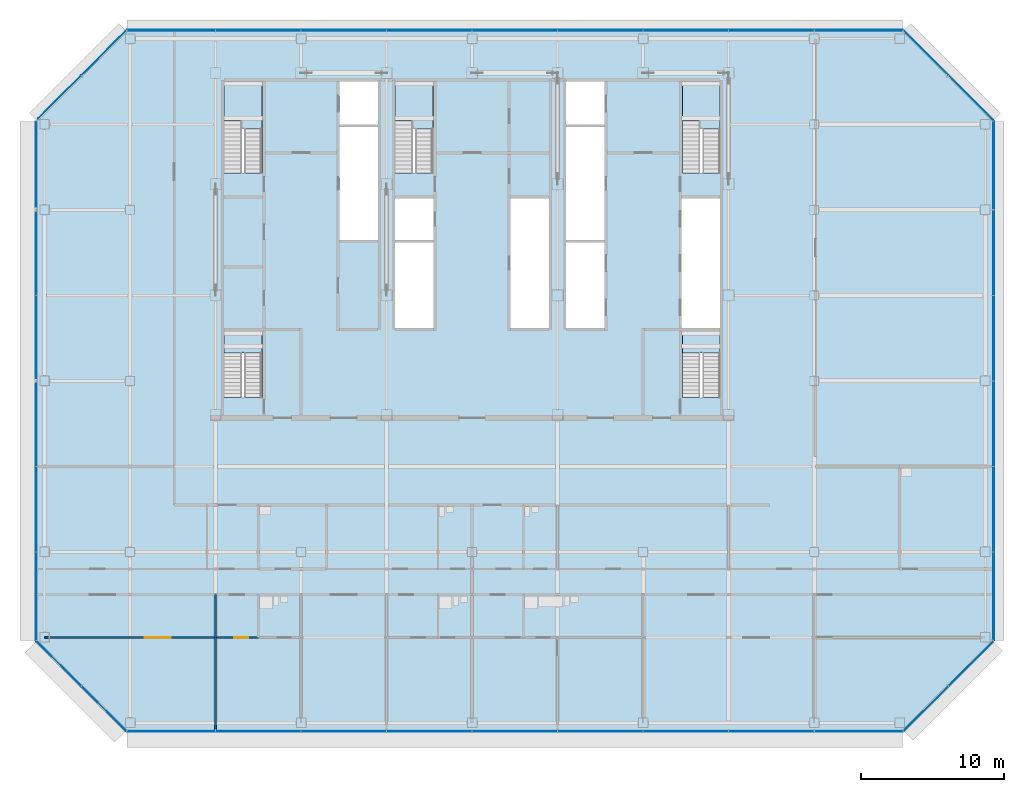
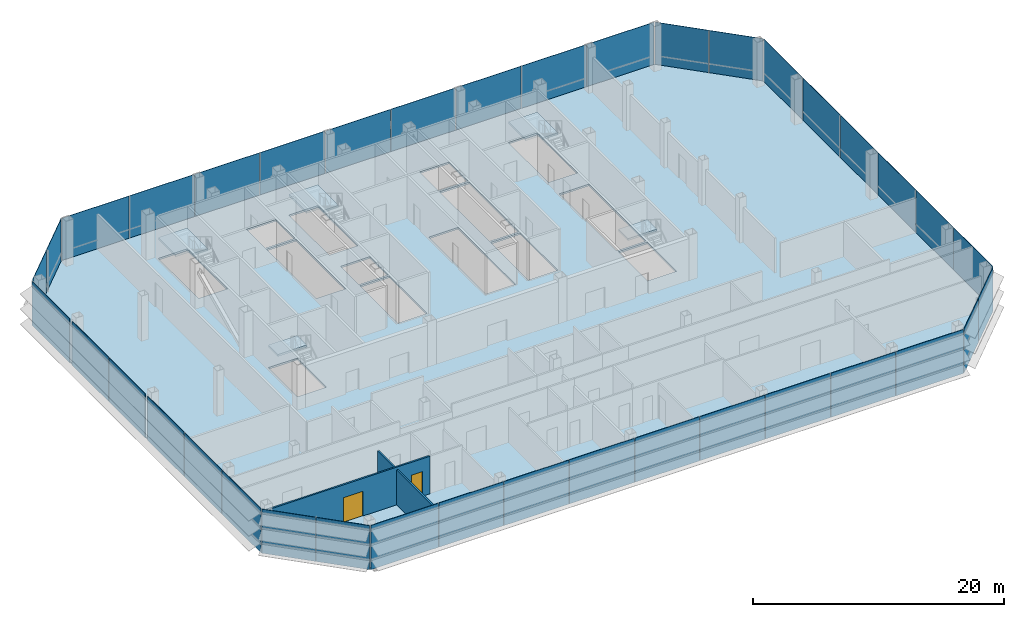
# One storey, part 18 of 26: 38 plates, 6 slabs, 2 doors, 2 walls, 2 openings, 13 elements without a shape of their own.
"""IFC4 building model written with IfcOpenShell, lengths in metres."""

import ifcopenshell
import ifcopenshell.guid

model = None  # the IFC model being written
_history = None  # IfcOwnerHistory: only IFC2X3 demands one
_inside = {}  # id of a spatial element -> (the spatial element, [elements in it])
_under = {}  # id of a project, library or spatial element -> (it, [spatial elements below it])
_declared = {}  # id of a project -> (the project, [libraries it declares])
_typed = {}  # id of a type object -> (the type object, [elements of that type])
_made_of = {}  # id of a material, layer set ... -> (it, [elements and type objects made of it])


def new_model(schema):
    """Start an empty IFC model of exactly this schema.

    Asked for "IFC4X3", IfcOpenShell would pick the latest addendum, in which some entities
    have other attributes; the version numbers below select the first issue.
    IFC2X3 requires an IfcOwnerHistory on every rooted entity: one is made here for all.
    """
    global model, _history
    if schema == "IFC4X3":
        model = ifcopenshell.file(schema_version=(4, 3, 0, 0))
    else:
        model = ifcopenshell.file(schema=schema)
    _inside.clear()
    _under.clear()
    _declared.clear()
    _typed.clear()
    _made_of.clear()
    _history = None
    if model.schema == "IFC2X3":
        org = make("IfcOrganization", Name="unknown")
        user = make(
            "IfcPersonAndOrganization",
            ThePerson=make("IfcPerson", FamilyName="unknown"),
            TheOrganization=org,
        )
        app = make(
            "IfcApplication",
            ApplicationDeveloper=org,
            Version="unknown",
            ApplicationFullName="unknown",
            ApplicationIdentifier="unknown",
        )
        _history = make(
            "IfcOwnerHistory",
            OwningUser=user,
            OwningApplication=app,
            ChangeAction="ADDED",
            CreationDate=0,
        )
    return model


def make(cls, **values):
    """One entity of the class cls with the attributes given. An attribute that is None is left unset."""
    return model.create_entity(
        cls, **{name: value for name, value in values.items() if value is not None}
    )


def rooted(cls, **values):
    """An entity with a GlobalId (a new one), such as an element, a storey or a relation."""
    return make(cls, GlobalId=ifcopenshell.guid.new(), OwnerHistory=_history, **values)


def si_unit(unit_type, name, prefix=None):
    """IfcSIUnit, for example si_unit("LENGTHUNIT", "METRE", prefix="MILLI")."""
    return make("IfcSIUnit", UnitType=unit_type, Prefix=prefix, Name=name)


def assignment(units):
    """IfcUnitAssignment: the units of a project."""
    return None if units is None else make("IfcUnitAssignment", Units=units)


def point(xyz):
    """IfcCartesianPoint."""
    return None if xyz is None else make("IfcCartesianPoint", Coordinates=xyz)


def direction(xyz):
    """IfcDirection."""
    return None if xyz is None else make("IfcDirection", DirectionRatios=xyz)


def frame(location, z_axis=None, x_axis=None):
    """IfcAxis2Placement3D, a coordinate frame: its origin and axes. An axis left out is left unset."""
    return make(
        "IfcAxis2Placement3D",
        Location=point(location),
        Axis=direction(z_axis),
        RefDirection=direction(x_axis),
    )


def frame_2d(location, x_axis=None):
    """IfcAxis2Placement2D, a coordinate frame in the plane: its origin and x axis."""
    return make(
        "IfcAxis2Placement2D", Location=point(location), RefDirection=direction(x_axis)
    )


def origin():
    """The frame at (0, 0, 0) with its axes left unset."""
    return frame((0.0, 0.0, 0.0))


def origin_2d():
    """The frame at (0, 0) in the plane with its x axis left unset."""
    return frame_2d((0.0, 0.0))


def place(relative_to, where):
    """IfcLocalPlacement: puts the frame where relative to a parent placement (None: the world)."""
    return make(
        "IfcLocalPlacement", PlacementRelTo=relative_to, RelativePlacement=where
    )


def context(
    kind, dimensions, precision=None, world=None, true_north=None, identifier=None
):
    """IfcGeometricRepresentationContext, for example the 3D "Model" context."""
    return make(
        "IfcGeometricRepresentationContext",
        ContextIdentifier=identifier,
        ContextType=kind,
        CoordinateSpaceDimension=dimensions,
        Precision=precision,
        WorldCoordinateSystem=world,
        TrueNorth=true_north,
    )


def subcontext(parent, identifier, kind, view, scale=None):
    """IfcGeometricRepresentationSubContext, for example "Body" below "Model"."""
    return make(
        "IfcGeometricRepresentationSubContext",
        ContextIdentifier=identifier,
        ContextType=kind,
        ParentContext=parent,
        TargetScale=scale,
        TargetView=view,
    )


def project(units=None, contexts=None):
    """IfcProject with its units and contexts."""
    return rooted(
        "IfcProject",
        Name="project",
        RepresentationContexts=contexts,
        UnitsInContext=assignment(units),
    )


def spatial(cls, under=None, at=None, **own):
    """A site, building, storey or space (cls), placed at a placement, below another one or the project."""
    s = rooted(cls, ObjectPlacement=at, **own)
    if under is not None:
        _under.setdefault(under.id(), (under, []))[1].append(s)
    return s


def polyline(points):
    """IfcPolyline through the points."""
    return make("IfcPolyline", Points=[point(p) for p in points])


def profile(cls, at=None, kind="AREA", **sizes):
    """A parametric profile (cls). Its sizes go by their IFC names, for example OverallWidth=200.0."""
    return make(cls, ProfileType=kind, Position=at, **sizes)


def rectangle(**sizes):
    """IfcRectangleProfileDef."""
    return profile("IfcRectangleProfileDef", **sizes)


def outline(outer, holes=None, kind="AREA"):
    """IfcArbitraryClosedProfileDef: a profile drawn as a closed curve; with holes, ...WithVoids."""
    if holes is None:
        return make("IfcArbitraryClosedProfileDef", ProfileType=kind, OuterCurve=outer)
    return make(
        "IfcArbitraryProfileDefWithVoids",
        ProfileType=kind,
        OuterCurve=outer,
        InnerCurves=holes,
    )


def extrude(swept, where, along, depth):
    """IfcExtrudedAreaSolid: the profile swept, set in the frame where, extruded along a direction by depth."""
    return make(
        "IfcExtrudedAreaSolid",
        SweptArea=swept,
        Position=where,
        ExtrudedDirection=direction(along),
        Depth=depth,
    )


def shape(context_of_items, identifier, shape_type, items):
    """IfcShapeRepresentation: the items that make up one representation, for example the "Body"."""
    return make(
        "IfcShapeRepresentation",
        ContextOfItems=context_of_items,
        RepresentationIdentifier=identifier,
        RepresentationType=shape_type,
        Items=items,
    )


def material(Name=None, Category=None):
    """IfcMaterial."""
    return make("IfcMaterial", Name=Name, Category=Category)


def layer(
    of_material, thickness, ventilated=None, Name=None, Category=None, Priority=None
):
    """IfcMaterialLayer: one layer of a wall or slab, of a material (None: an air gap)."""
    return make(
        "IfcMaterialLayer",
        Material=of_material,
        LayerThickness=thickness,
        IsVentilated=ventilated,
        Name=Name,
        Category=Category,
        Priority=Priority,
    )


def layer_set(layers, Name=None):
    """IfcMaterialLayerSet."""
    return make("IfcMaterialLayerSet", MaterialLayers=layers, LayerSetName=Name)


def made_of(thing, what):
    """Note that an element or type object is made of a material, layer set ...; save() writes the relation."""
    if what is not None:
        _made_of.setdefault(what.id(), (what, []))[1].append(thing)
    return thing


def type_object(cls, material=None, **own):
    """A type object (cls), such as IfcWallType, which elements share."""
    return made_of(rooted(cls, **own), material)


def element(
    cls,
    number,
    at=None,
    inside=None,
    cuts=None,
    type_object=None,
    material=None,
    context=None,
    identifier="Body",
    shape_type=None,
    held_by="IfcProductDefinitionShape",
    body=None,
    shapes=None,
    **own,
):
    """One element of the class cls, such as IfcWall. Its Tag is "e" and its number.

    at: its placement. inside: the storey or other place that contains it. cuts: it is an
    opening in that element (IfcRelVoidsElement). A single representation is given by context,
    identifier, shape_type and body (its items); several are given by shapes. held_by: the class
    of the entity that holds the representations. save() writes the other relations.
    """
    e = rooted(cls, Tag="e%d" % number, ObjectPlacement=at, **own)
    if body is not None:
        shapes = [shape(context, identifier, shape_type, body)]
    if shapes is not None:
        e.Representation = make(held_by, Representations=shapes)
    if inside is not None:
        _inside.setdefault(inside.id(), (inside, []))[1].append(e)
    if cuts is not None:
        rooted(
            "IfcRelVoidsElement", RelatingBuildingElement=cuts, RelatedOpeningElement=e
        )
    if type_object is not None:
        _typed.setdefault(type_object.id(), (type_object, []))[1].append(e)
    return made_of(e, material)


def fill(opening, filler):
    """IfcRelFillsElement: the door or window that sits in an opening."""
    return rooted(
        "IfcRelFillsElement",
        RelatingOpeningElement=opening,
        RelatedBuildingElement=filler,
    )


def aggregate(whole, parts):
    """IfcRelAggregates: a whole, such as a stair, and the parts it consists of."""
    return rooted("IfcRelAggregates", RelatingObject=whole, RelatedObjects=parts)


def save(model, path):
    """Write the relations noted so far, then the file.

    IfcRelAggregates (storeys below a building ...), IfcRelContainedInSpatialStructure (elements
    in a storey), IfcRelDefinesByType, IfcRelAssociatesMaterial and IfcRelDeclares: one each for
    every whole, place, type object, material and project.
    """
    for whole, parts in _under.values():
        aggregate(whole, parts)
    for where, things in _inside.values():
        rooted(
            "IfcRelContainedInSpatialStructure",
            RelatedElements=things,
            RelatingStructure=where,
        )
    for kind, things in _typed.values():
        rooted("IfcRelDefinesByType", RelatedObjects=things, RelatingType=kind)
    for what, things in _made_of.values():
        rooted("IfcRelAssociatesMaterial", RelatedObjects=things, RelatingMaterial=what)
    for by, libraries in _declared.values():
        rooted("IfcRelDeclares", RelatingContext=by, RelatedDefinitions=libraries)
    model.write(path)


model = new_model("IFC4")

# Units and contexts
model_context = context("Model", 3, precision=1e-05, world=origin(), true_north=direction((0.0, 1.0)))
body_context = subcontext(model_context, "Body", "Model", "MODEL_VIEW")
ifc_project = project(units=[si_unit("LENGTHUNIT", "METRE"), si_unit("AREAUNIT", "SQUARE_METRE"), si_unit("VOLUMEUNIT", "CUBIC_METRE"), si_unit("PLANEANGLEUNIT", "RADIAN"), si_unit("MASSUNIT", "GRAM", prefix="KILO")], contexts=[model_context])

# Site, building, storey
site_placement = place(None, origin())
site = spatial("IfcSite", under=ifc_project, at=site_placement, CompositionType="ELEMENT")
building_placement = place(site_placement, origin())
building = spatial("IfcBuilding", under=site, at=building_placement, Name="Sorahane Residences", CompositionType="ELEMENT")
storey_placement = place(building_placement, frame((0.0, 0.0, 181.60009765625)))
storey = spatial("IfcBuildingStorey", under=building, at=storey_placement, Name="L42", CompositionType="ELEMENT", Elevation=181.60009765625)

# Slab
ifc_material_1 = material(Name="Concrete C35", Category="concrete")
ifc_layer_1 = layer(ifc_material_1, 0.179931640625)
ifc_layer_set_1 = layer_set([ifc_layer_1], Name="Composite floor slab 180 mm Concrete C35")
slab_type_1 = type_object("IfcSlabType", Name="Composite floor slab 180 mm Concrete C35", PredefinedType="FLOOR", material=ifc_layer_set_1)
slab_1_placement = place(storey_placement, frame((0.0, 0.0, -0.18017578125)))
element("IfcSlab", 1, at=slab_1_placement, inside=storey, type_object=slab_type_1, Name="Slab L42", PredefinedType="FLOOR", context=body_context, shape_type="SweptSolid", body=[
    extrude(outline(polyline([(-0.24853515625, -0.60009765625), (-6.60009765625, 5.75146484375), (-6.60009765625, 42.24853515625), (-0.24853515625, 48.60009765625), (54.24853515625, 48.60009765625), (60.60009765625, 42.24853515625), (60.60009765625, 5.75146484375), (54.24853515625, -0.60009765625), (-0.24853515625, -0.60009765625)]), holes=[polyline([(18.60009765625, 27.699951171875), (21.300048828125, 27.699951171875), (21.300048828125, 33.699951171875), (18.60009765625, 33.699951171875), (18.60009765625, 27.699951171875)]), polyline([(38.699951171875, 27.699951171875), (41.39990234375, 27.699951171875), (41.39990234375, 36.800048828125), (38.699951171875, 36.800048828125), (38.699951171875, 27.699951171875)]), polyline([(30.60009765625, 27.699951171875), (33.300048828125, 27.699951171875), (33.300048828125, 33.699951171875), (30.60009765625, 33.699951171875), (30.60009765625, 27.699951171875)]), polyline([(30.60009765625, 42.0), (33.300048828125, 42.0), (33.300048828125, 45.0), (30.60009765625, 45.0), (30.60009765625, 42.0)]), polyline([(14.699951171875, 42.0), (17.39990234375, 42.0), (17.39990234375, 45.0), (14.699951171875, 45.0), (14.699951171875, 42.0)]), polyline([(9.25, 38.60009765625), (9.25, 45.0), (6.60009765625, 45.0), (6.60009765625, 38.60009765625), (9.25, 38.60009765625)]), polyline([(41.39990234375, 38.60009765625), (41.39990234375, 45.0), (38.75, 45.0), (38.75, 38.60009765625), (41.39990234375, 38.60009765625)]), polyline([(21.25, 38.60009765625), (21.25, 45.0), (18.60009765625, 45.0), (18.60009765625, 38.60009765625), (21.25, 38.60009765625)]), polyline([(9.25, 22.85009765625), (9.25, 27.5), (6.60009765625, 27.5), (6.60009765625, 22.85009765625), (9.25, 22.85009765625)]), polyline([(41.39990234375, 22.85009765625), (41.39990234375, 27.5), (38.75, 27.5), (38.75, 22.85009765625), (41.39990234375, 22.85009765625)]), polyline([(14.699951171875, 33.89990234375), (17.39990234375, 33.89990234375), (17.39990234375, 41.800048828125), (14.699951171875, 41.800048828125), (14.699951171875, 33.89990234375)]), polyline([(30.60009765625, 33.89990234375), (33.300048828125, 33.89990234375), (33.300048828125, 41.800048828125), (30.60009765625, 41.800048828125), (30.60009765625, 33.89990234375)]), polyline([(18.60009765625, 33.89990234375), (21.300048828125, 33.89990234375), (21.300048828125, 36.800048828125), (18.60009765625, 36.800048828125), (18.60009765625, 33.89990234375)]), polyline([(26.699951171875, 27.699951171875), (29.39990234375, 27.699951171875), (29.39990234375, 36.800048828125), (26.699951171875, 36.800048828125), (26.699951171875, 27.699951171875)])]), origin(), (0.0, 0.0, 1.0), 0.18017578125),
])

# Curtain wall, plates
ifc_material_2 = material(Name="Dark low-e glass and black anodised aluminium", Category="aluminium")
curtain_wall_type_1 = type_object("IfcCurtainWallType", Name="Curtain wall CW-1 Typical unitised wall", PredefinedType="NOTDEFINED", material=ifc_material_2)
curtain_wall_1_placement = place(storey_placement, origin())
curtain_wall_1 = element("IfcCurtainWall", 2, at=curtain_wall_1_placement, inside=storey, type_object=curtain_wall_type_1, Name="CW-1 curtain wall L42 S1", PredefinedType="NOTDEFINED")
ifc_material_3 = material(Name="Dark low-e glass with black ceramic frit", Category="glass")
ifc_layer_2 = layer(ifc_material_3, 0.0400390625)
ifc_layer_set_2 = layer_set([ifc_layer_2], Name="Curtain wall glass panel dark low-e with black frit spandrel band")
plate_type = type_object("IfcPlateType", Name="Curtain wall glass panel dark low-e with black frit spandrel band", PredefinedType="CURTAIN_PANEL", material=ifc_layer_set_2)
plate_1_placement = place(storey_placement, frame((2.88818359375, -0.60009765625, -0.18017578125), z_axis=(0.0, 0.0, 1.0), x_axis=(1.0, 0.0, 0.0)))
plate_1 = element("IfcPlate", 3, at=plate_1_placement, type_object=plate_type, Name="CW-1 glass panel L42 S1.1", PredefinedType="CURTAIN_PANEL", context=body_context, shape_type="SweptSolid", body=[
    extrude(rectangle(XDim=6.173583984375, YDim=0.0400390625, at=origin_2d()), origin(), (0.0, 0.0, 1.0), 4.280029296875),
])
plate_2_placement = place(storey_placement, frame((9.0, -0.60009765625, -0.18017578125), z_axis=(0.0, 0.0, 1.0), x_axis=(1.0, 0.0, 0.0)))
plate_2 = element("IfcPlate", 4, at=plate_2_placement, type_object=plate_type, Name="CW-1 glass panel L42 S1.2", PredefinedType="CURTAIN_PANEL", context=body_context, shape_type="SweptSolid", body=[
    extrude(rectangle(XDim=5.949951171875, YDim=0.0400390625, at=origin_2d()), origin(), (0.0, 0.0, 1.0), 4.280029296875),
])
plate_3_placement = place(storey_placement, frame((15.0, -0.60009765625, -0.18017578125), z_axis=(0.0, 0.0, 1.0), x_axis=(1.0, 0.0, 0.0)))
plate_3 = element("IfcPlate", 5, at=plate_3_placement, type_object=plate_type, Name="CW-1 glass panel L42 S1.3", PredefinedType="CURTAIN_PANEL", context=body_context, shape_type="SweptSolid", body=[
    extrude(rectangle(XDim=5.949951171875, YDim=0.0400390625, at=origin_2d()), origin(), (0.0, 0.0, 1.0), 4.280029296875),
])
plate_4_placement = place(storey_placement, frame((21.0, -0.60009765625, -0.18017578125), z_axis=(0.0, 0.0, 1.0), x_axis=(1.0, 0.0, 0.0)))
plate_4 = element("IfcPlate", 6, at=plate_4_placement, type_object=plate_type, Name="CW-1 glass panel L42 S1.4", PredefinedType="CURTAIN_PANEL", context=body_context, shape_type="SweptSolid", body=[
    extrude(rectangle(XDim=5.949951171875, YDim=0.0400390625, at=origin_2d()), origin(), (0.0, 0.0, 1.0), 4.280029296875),
])
plate_5_placement = place(storey_placement, frame((27.0, -0.60009765625, -0.18017578125), z_axis=(0.0, 0.0, 1.0), x_axis=(1.0, 0.0, 0.0)))
plate_5 = element("IfcPlate", 7, at=plate_5_placement, type_object=plate_type, Name="CW-1 glass panel L42 S1.5", PredefinedType="CURTAIN_PANEL", context=body_context, shape_type="SweptSolid", body=[
    extrude(rectangle(XDim=5.949951171875, YDim=0.0400390625, at=origin_2d()), origin(), (0.0, 0.0, 1.0), 4.280029296875),
])
plate_6_placement = place(storey_placement, frame((33.0, -0.60009765625, -0.18017578125), z_axis=(0.0, 0.0, 1.0), x_axis=(1.0, 0.0, 0.0)))
plate_6 = element("IfcPlate", 8, at=plate_6_placement, type_object=plate_type, Name="CW-1 glass panel L42 S1.6", PredefinedType="CURTAIN_PANEL", context=body_context, shape_type="SweptSolid", body=[
    extrude(rectangle(XDim=5.949951171875, YDim=0.0400390625, at=origin_2d()), origin(), (0.0, 0.0, 1.0), 4.280029296875),
])
plate_7_placement = place(storey_placement, frame((39.0, -0.60009765625, -0.18017578125), z_axis=(0.0, 0.0, 1.0), x_axis=(1.0, 0.0, 0.0)))
plate_7 = element("IfcPlate", 9, at=plate_7_placement, type_object=plate_type, Name="CW-1 glass panel L42 S1.7", PredefinedType="CURTAIN_PANEL", context=body_context, shape_type="SweptSolid", body=[
    extrude(rectangle(XDim=5.949951171875, YDim=0.0400390625, at=origin_2d()), origin(), (0.0, 0.0, 1.0), 4.280029296875),
])
plate_8_placement = place(storey_placement, frame((45.0, -0.60009765625, -0.18017578125), z_axis=(0.0, 0.0, 1.0), x_axis=(1.0, 0.0, 0.0)))
plate_8 = element("IfcPlate", 10, at=plate_8_placement, type_object=plate_type, Name="CW-1 glass panel L42 S1.8", PredefinedType="CURTAIN_PANEL", context=body_context, shape_type="SweptSolid", body=[
    extrude(rectangle(XDim=5.949951171875, YDim=0.0400390625, at=origin_2d()), origin(), (0.0, 0.0, 1.0), 4.280029296875),
])
plate_9_placement = place(storey_placement, frame((51.11181640625, -0.60009765625, -0.18017578125), z_axis=(0.0, 0.0, 1.0), x_axis=(1.0, 0.0, 0.0)))
plate_9 = element("IfcPlate", 11, at=plate_9_placement, type_object=plate_type, Name="CW-1 glass panel L42 S1.9", PredefinedType="CURTAIN_PANEL", context=body_context, shape_type="SweptSolid", body=[
    extrude(rectangle(XDim=6.173583984375, YDim=0.0400390625, at=origin_2d()), origin(), (0.0, 0.0, 1.0), 4.280029296875),
])
aggregate(curtain_wall_1, [plate_1, plate_2, plate_3, plate_4, plate_5, plate_6, plate_7, plate_8, plate_9])

ifc_material_4 = material(Name="Dark low-e glass and black anodised aluminium", Category="aluminium")
curtain_wall_type_2 = type_object("IfcCurtainWallType", Name="Curtain wall CW-2 Chamfer unitised wall", PredefinedType="NOTDEFINED", material=ifc_material_4)
curtain_wall_2_placement = place(storey_placement, origin())
curtain_wall_2 = element("IfcCurtainWall", 12, at=curtain_wall_2_placement, inside=storey, type_object=curtain_wall_type_2, Name="CW-2 curtain wall L42 SE1", PredefinedType="NOTDEFINED")
plate_10_placement = place(storey_placement, frame((55.84521484375, 0.996826171875, -0.18017578125), z_axis=(0.0, 0.0, 1.0), x_axis=(0.707106781187, 0.707106781187, 0.0)))
plate_10 = element("IfcPlate", 13, at=plate_10_placement, type_object=plate_type, Name="CW-2 glass panel L42 SE1.1", PredefinedType="CURTAIN_PANEL", context=body_context, shape_type="SweptSolid", body=[
    extrude(rectangle(XDim=4.416259765625, YDim=0.0400390625, at=origin_2d()), origin(), (0.0, 0.0, 1.0), 4.280029296875),
])
plate_11_placement = place(storey_placement, frame((59.003173828125, 4.15478515625, -0.18017578125), z_axis=(0.0, 0.0, 1.0), x_axis=(0.707106781187, 0.707106781187, 0.0)))
plate_11 = element("IfcPlate", 14, at=plate_11_placement, type_object=plate_type, Name="CW-2 glass panel L42 SE1.2", PredefinedType="CURTAIN_PANEL", context=body_context, shape_type="SweptSolid", body=[
    extrude(rectangle(XDim=4.416259765625, YDim=0.0400390625, at=origin_2d()), origin(), (0.0, 0.0, 1.0), 4.280029296875),
])
aggregate(curtain_wall_2, [plate_10, plate_11])

curtain_wall_3_placement = place(storey_placement, origin())
curtain_wall_3 = element("IfcCurtainWall", 15, at=curtain_wall_3_placement, inside=storey, type_object=curtain_wall_type_1, Name="CW-1 curtain wall L42 E1", PredefinedType="NOTDEFINED")
plate_12_placement = place(storey_placement, frame((60.60009765625, 8.88818359375, -0.18017578125), z_axis=(0.0, 0.0, 1.0), x_axis=(0.0, 1.0, 0.0)))
plate_12 = element("IfcPlate", 16, at=plate_12_placement, type_object=plate_type, Name="CW-1 glass panel L42 E1.1", PredefinedType="CURTAIN_PANEL", context=body_context, shape_type="SweptSolid", body=[
    extrude(rectangle(XDim=6.173583984375, YDim=0.0400390625, at=origin_2d()), origin(), (0.0, 0.0, 1.0), 4.280029296875),
])
plate_13_placement = place(storey_placement, frame((60.60009765625, 15.0, -0.18017578125), z_axis=(0.0, 0.0, 1.0), x_axis=(0.0, 1.0, 0.0)))
plate_13 = element("IfcPlate", 17, at=plate_13_placement, type_object=plate_type, Name="CW-1 glass panel L42 E1.2", PredefinedType="CURTAIN_PANEL", context=body_context, shape_type="SweptSolid", body=[
    extrude(rectangle(XDim=5.949951171875, YDim=0.0400390625, at=origin_2d()), origin(), (0.0, 0.0, 1.0), 4.280029296875),
])
plate_14_placement = place(storey_placement, frame((60.60009765625, 21.0, -0.18017578125), z_axis=(0.0, 0.0, 1.0), x_axis=(0.0, 1.0, 0.0)))
plate_14 = element("IfcPlate", 18, at=plate_14_placement, type_object=plate_type, Name="CW-1 glass panel L42 E1.3", PredefinedType="CURTAIN_PANEL", context=body_context, shape_type="SweptSolid", body=[
    extrude(rectangle(XDim=5.949951171875, YDim=0.0400390625, at=origin_2d()), origin(), (0.0, 0.0, 1.0), 4.280029296875),
])
plate_15_placement = place(storey_placement, frame((60.60009765625, 27.0, -0.18017578125), z_axis=(0.0, 0.0, 1.0), x_axis=(0.0, 1.0, 0.0)))
plate_15 = element("IfcPlate", 19, at=plate_15_placement, type_object=plate_type, Name="CW-1 glass panel L42 E1.4", PredefinedType="CURTAIN_PANEL", context=body_context, shape_type="SweptSolid", body=[
    extrude(rectangle(XDim=5.949951171875, YDim=0.0400390625, at=origin_2d()), origin(), (0.0, 0.0, 1.0), 4.280029296875),
])
plate_16_placement = place(storey_placement, frame((60.60009765625, 33.0, -0.18017578125), z_axis=(0.0, 0.0, 1.0), x_axis=(0.0, 1.0, 0.0)))
plate_16 = element("IfcPlate", 20, at=plate_16_placement, type_object=plate_type, Name="CW-1 glass panel L42 E1.5", PredefinedType="CURTAIN_PANEL", context=body_context, shape_type="SweptSolid", body=[
    extrude(rectangle(XDim=5.949951171875, YDim=0.0400390625, at=origin_2d()), origin(), (0.0, 0.0, 1.0), 4.280029296875),
])
plate_17_placement = place(storey_placement, frame((60.60009765625, 39.11181640625, -0.18017578125), z_axis=(0.0, 0.0, 1.0), x_axis=(0.0, 1.0, 0.0)))
plate_17 = element("IfcPlate", 21, at=plate_17_placement, type_object=plate_type, Name="CW-1 glass panel L42 E1.6", PredefinedType="CURTAIN_PANEL", context=body_context, shape_type="SweptSolid", body=[
    extrude(rectangle(XDim=6.173583984375, YDim=0.0400390625, at=origin_2d()), origin(), (0.0, 0.0, 1.0), 4.280029296875),
])
aggregate(curtain_wall_3, [plate_12, plate_13, plate_14, plate_15, plate_16, plate_17])

curtain_wall_4_placement = place(storey_placement, origin())
curtain_wall_4 = element("IfcCurtainWall", 22, at=curtain_wall_4_placement, inside=storey, type_object=curtain_wall_type_2, Name="CW-2 curtain wall L42 NE1", PredefinedType="NOTDEFINED")
plate_18_placement = place(storey_placement, frame((59.003173828125, 43.84521484375, -0.18017578125), z_axis=(0.0, 0.0, 1.0), x_axis=(-0.707106781187, 0.707106781187, 0.0)))
plate_18 = element("IfcPlate", 23, at=plate_18_placement, type_object=plate_type, Name="CW-2 glass panel L42 NE1.1", PredefinedType="CURTAIN_PANEL", context=body_context, shape_type="SweptSolid", body=[
    extrude(rectangle(XDim=4.416259765625, YDim=0.0400390625, at=origin_2d()), origin(), (0.0, 0.0, 1.0), 4.280029296875),
])
plate_19_placement = place(storey_placement, frame((55.84521484375, 47.003173828125, -0.18017578125), z_axis=(0.0, 0.0, 1.0), x_axis=(-0.707106781187, 0.707106781187, 0.0)))
plate_19 = element("IfcPlate", 24, at=plate_19_placement, type_object=plate_type, Name="CW-2 glass panel L42 NE1.2", PredefinedType="CURTAIN_PANEL", context=body_context, shape_type="SweptSolid", body=[
    extrude(rectangle(XDim=4.416259765625, YDim=0.0400390625, at=origin_2d()), origin(), (0.0, 0.0, 1.0), 4.280029296875),
])
aggregate(curtain_wall_4, [plate_18, plate_19])

curtain_wall_5_placement = place(storey_placement, origin())
curtain_wall_5 = element("IfcCurtainWall", 25, at=curtain_wall_5_placement, inside=storey, type_object=curtain_wall_type_1, Name="CW-1 curtain wall L42 N1", PredefinedType="NOTDEFINED")
plate_20_placement = place(storey_placement, frame((51.11181640625, 48.60009765625, -0.18017578125), z_axis=(0.0, 0.0, 1.0), x_axis=(-1.0, 0.0, 0.0)))
plate_20 = element("IfcPlate", 26, at=plate_20_placement, type_object=plate_type, Name="CW-1 glass panel L42 N1.1", PredefinedType="CURTAIN_PANEL", context=body_context, shape_type="SweptSolid", body=[
    extrude(rectangle(XDim=6.173583984375, YDim=0.0400390625, at=origin_2d()), origin(), (0.0, 0.0, 1.0), 4.280029296875),
])
plate_21_placement = place(storey_placement, frame((45.0, 48.60009765625, -0.18017578125), z_axis=(0.0, 0.0, 1.0), x_axis=(-1.0, 0.0, 0.0)))
plate_21 = element("IfcPlate", 27, at=plate_21_placement, type_object=plate_type, Name="CW-1 glass panel L42 N1.2", PredefinedType="CURTAIN_PANEL", context=body_context, shape_type="SweptSolid", body=[
    extrude(rectangle(XDim=5.949951171875, YDim=0.0400390625, at=origin_2d()), origin(), (0.0, 0.0, 1.0), 4.280029296875),
])
plate_22_placement = place(storey_placement, frame((39.0, 48.60009765625, -0.18017578125), z_axis=(0.0, 0.0, 1.0), x_axis=(-1.0, 0.0, 0.0)))
plate_22 = element("IfcPlate", 28, at=plate_22_placement, type_object=plate_type, Name="CW-1 glass panel L42 N1.3", PredefinedType="CURTAIN_PANEL", context=body_context, shape_type="SweptSolid", body=[
    extrude(rectangle(XDim=5.949951171875, YDim=0.0400390625, at=origin_2d()), origin(), (0.0, 0.0, 1.0), 4.280029296875),
])
plate_23_placement = place(storey_placement, frame((33.0, 48.60009765625, -0.18017578125), z_axis=(0.0, 0.0, 1.0), x_axis=(-1.0, 0.0, 0.0)))
plate_23 = element("IfcPlate", 29, at=plate_23_placement, type_object=plate_type, Name="CW-1 glass panel L42 N1.4", PredefinedType="CURTAIN_PANEL", context=body_context, shape_type="SweptSolid", body=[
    extrude(rectangle(XDim=5.949951171875, YDim=0.0400390625, at=origin_2d()), origin(), (0.0, 0.0, 1.0), 4.280029296875),
])
plate_24_placement = place(storey_placement, frame((27.0, 48.60009765625, -0.18017578125), z_axis=(0.0, 0.0, 1.0), x_axis=(-1.0, 0.0, 0.0)))
plate_24 = element("IfcPlate", 30, at=plate_24_placement, type_object=plate_type, Name="CW-1 glass panel L42 N1.5", PredefinedType="CURTAIN_PANEL", context=body_context, shape_type="SweptSolid", body=[
    extrude(rectangle(XDim=5.949951171875, YDim=0.0400390625, at=origin_2d()), origin(), (0.0, 0.0, 1.0), 4.280029296875),
])
plate_25_placement = place(storey_placement, frame((21.0, 48.60009765625, -0.18017578125), z_axis=(0.0, 0.0, 1.0), x_axis=(-1.0, 0.0, 0.0)))
plate_25 = element("IfcPlate", 31, at=plate_25_placement, type_object=plate_type, Name="CW-1 glass panel L42 N1.6", PredefinedType="CURTAIN_PANEL", context=body_context, shape_type="SweptSolid", body=[
    extrude(rectangle(XDim=5.949951171875, YDim=0.0400390625, at=origin_2d()), origin(), (0.0, 0.0, 1.0), 4.280029296875),
])
plate_26_placement = place(storey_placement, frame((15.0, 48.60009765625, -0.18017578125), z_axis=(0.0, 0.0, 1.0), x_axis=(-1.0, 0.0, 0.0)))
plate_26 = element("IfcPlate", 32, at=plate_26_placement, type_object=plate_type, Name="CW-1 glass panel L42 N1.7", PredefinedType="CURTAIN_PANEL", context=body_context, shape_type="SweptSolid", body=[
    extrude(rectangle(XDim=5.949951171875, YDim=0.0400390625, at=origin_2d()), origin(), (0.0, 0.0, 1.0), 4.280029296875),
])
plate_27_placement = place(storey_placement, frame((9.0, 48.60009765625, -0.18017578125), z_axis=(0.0, 0.0, 1.0), x_axis=(-1.0, 0.0, 0.0)))
plate_27 = element("IfcPlate", 33, at=plate_27_placement, type_object=plate_type, Name="CW-1 glass panel L42 N1.8", PredefinedType="CURTAIN_PANEL", context=body_context, shape_type="SweptSolid", body=[
    extrude(rectangle(XDim=5.949951171875, YDim=0.0400390625, at=origin_2d()), origin(), (0.0, 0.0, 1.0), 4.280029296875),
])
plate_28_placement = place(storey_placement, frame((2.88818359375, 48.60009765625, -0.18017578125), z_axis=(0.0, 0.0, 1.0), x_axis=(-1.0, 0.0, 0.0)))
plate_28 = element("IfcPlate", 34, at=plate_28_placement, type_object=plate_type, Name="CW-1 glass panel L42 N1.9", PredefinedType="CURTAIN_PANEL", context=body_context, shape_type="SweptSolid", body=[
    extrude(rectangle(XDim=6.173583984375, YDim=0.0400390625, at=origin_2d()), origin(), (0.0, 0.0, 1.0), 4.280029296875),
])
aggregate(curtain_wall_5, [plate_20, plate_21, plate_22, plate_23, plate_24, plate_25, plate_26, plate_27, plate_28])

curtain_wall_6_placement = place(storey_placement, origin())
curtain_wall_6 = element("IfcCurtainWall", 35, at=curtain_wall_6_placement, inside=storey, type_object=curtain_wall_type_2, Name="CW-2 curtain wall L42 NW1", PredefinedType="NOTDEFINED")
plate_29_placement = place(storey_placement, frame((-1.84521484375, 47.003173828125, -0.18017578125), z_axis=(0.0, 0.0, 1.0), x_axis=(-0.707106781187, -0.707106781187, 0.0)))
plate_29 = element("IfcPlate", 36, at=plate_29_placement, type_object=plate_type, Name="CW-2 glass panel L42 NW1.1", PredefinedType="CURTAIN_PANEL", context=body_context, shape_type="SweptSolid", body=[
    extrude(rectangle(XDim=4.416259765625, YDim=0.0400390625, at=origin_2d()), origin(), (0.0, 0.0, 1.0), 4.280029296875),
])
plate_30_placement = place(storey_placement, frame((-4.94140625, 43.9072265625, -0.18017578125), z_axis=(0.0, 0.0, 1.0), x_axis=(-0.707106781187, -0.707106781187, 0.0)))
plate_30 = element("IfcPlate", 37, at=plate_30_placement, type_object=plate_type, Name="CW-2 glass panel L42 NW1.2", PredefinedType="CURTAIN_PANEL", context=body_context, shape_type="SweptSolid", body=[
    extrude(rectangle(XDim=4.2412109375, YDim=0.0400390625, at=origin_2d()), origin(), (0.0, 0.0, 1.0), 4.280029296875),
])
aggregate(curtain_wall_6, [plate_29, plate_30])

curtain_wall_7_placement = place(storey_placement, origin())
curtain_wall_7 = element("IfcCurtainWall", 38, at=curtain_wall_7_placement, inside=storey, type_object=curtain_wall_type_1, Name="CW-1 curtain wall L42 W1", PredefinedType="NOTDEFINED")
plate_31_placement = place(storey_placement, frame((-6.60009765625, 39.19921875, -0.18017578125), z_axis=(0.0, 0.0, 1.0), x_axis=(0.0, -1.0, 0.0)))
plate_31 = element("IfcPlate", 39, at=plate_31_placement, type_object=plate_type, Name="CW-1 glass panel L42 W1.1", PredefinedType="CURTAIN_PANEL", context=body_context, shape_type="SweptSolid", body=[
    extrude(rectangle(XDim=5.99853515625, YDim=0.0400390625, at=origin_2d()), origin(), (0.0, 0.0, 1.0), 4.280029296875),
])
plate_32_placement = place(storey_placement, frame((-6.60009765625, 32.91259765625, -0.18017578125), z_axis=(0.0, 0.0, 1.0), x_axis=(0.0, -1.0, 0.0)))
plate_32 = element("IfcPlate", 40, at=plate_32_placement, type_object=plate_type, Name="CW-1 glass panel L42 W1.2", PredefinedType="CURTAIN_PANEL", context=body_context, shape_type="SweptSolid", body=[
    extrude(rectangle(XDim=5.77490234375, YDim=0.0400390625, at=origin_2d()), origin(), (0.0, 0.0, 1.0), 4.280029296875),
])
plate_33_placement = place(storey_placement, frame((-6.60009765625, 27.08740234375, -0.18017578125), z_axis=(0.0, 0.0, 1.0), x_axis=(0.0, -1.0, 0.0)))
plate_33 = element("IfcPlate", 41, at=plate_33_placement, type_object=plate_type, Name="CW-1 glass panel L42 W1.3", PredefinedType="CURTAIN_PANEL", context=body_context, shape_type="SweptSolid", body=[
    extrude(rectangle(XDim=5.77490234375, YDim=0.0400390625, at=origin_2d()), origin(), (0.0, 0.0, 1.0), 4.280029296875),
])
plate_34_placement = place(storey_placement, frame((-6.60009765625, 20.91259765625, -0.18017578125), z_axis=(0.0, 0.0, 1.0), x_axis=(0.0, -1.0, 0.0)))
plate_34 = element("IfcPlate", 42, at=plate_34_placement, type_object=plate_type, Name="CW-1 glass panel L42 W1.4", PredefinedType="CURTAIN_PANEL", context=body_context, shape_type="SweptSolid", body=[
    extrude(rectangle(XDim=5.77490234375, YDim=0.0400390625, at=origin_2d()), origin(), (0.0, 0.0, 1.0), 4.280029296875),
])
plate_35_placement = place(storey_placement, frame((-6.60009765625, 15.0, -0.18017578125), z_axis=(0.0, 0.0, 1.0), x_axis=(0.0, -1.0, 0.0)))
plate_35 = element("IfcPlate", 43, at=plate_35_placement, type_object=plate_type, Name="CW-1 glass panel L42 W1.5", PredefinedType="CURTAIN_PANEL", context=body_context, shape_type="SweptSolid", body=[
    extrude(rectangle(XDim=5.949951171875, YDim=0.0400390625, at=origin_2d()), origin(), (0.0, 0.0, 1.0), 4.280029296875),
])
plate_36_placement = place(storey_placement, frame((-6.60009765625, 8.88818359375, -0.18017578125), z_axis=(0.0, 0.0, 1.0), x_axis=(0.0, -1.0, 0.0)))
plate_36 = element("IfcPlate", 44, at=plate_36_placement, type_object=plate_type, Name="CW-1 glass panel L42 W1.6", PredefinedType="CURTAIN_PANEL", context=body_context, shape_type="SweptSolid", body=[
    extrude(rectangle(XDim=6.173583984375, YDim=0.0400390625, at=origin_2d()), origin(), (0.0, 0.0, 1.0), 4.280029296875),
])
aggregate(curtain_wall_7, [plate_31, plate_32, plate_33, plate_34, plate_35, plate_36])

curtain_wall_8_placement = place(storey_placement, origin())
curtain_wall_8 = element("IfcCurtainWall", 45, at=curtain_wall_8_placement, inside=storey, type_object=curtain_wall_type_2, Name="CW-2 curtain wall L42 SW1", PredefinedType="NOTDEFINED")
plate_37_placement = place(storey_placement, frame((-5.003173828125, 4.15478515625, -0.18017578125), z_axis=(0.0, 0.0, 1.0), x_axis=(0.707106781187, -0.707106781187, 0.0)))
plate_37 = element("IfcPlate", 46, at=plate_37_placement, type_object=plate_type, Name="CW-2 glass panel L42 SW1.1", PredefinedType="CURTAIN_PANEL", context=body_context, shape_type="SweptSolid", body=[
    extrude(rectangle(XDim=4.416259765625, YDim=0.0400390625, at=origin_2d()), origin(), (0.0, 0.0, 1.0), 4.280029296875),
])
plate_38_placement = place(storey_placement, frame((-1.84521484375, 0.996826171875, -0.18017578125), z_axis=(0.0, 0.0, 1.0), x_axis=(0.707106781187, -0.707106781187, 0.0)))
plate_38 = element("IfcPlate", 47, at=plate_38_placement, type_object=plate_type, Name="CW-2 glass panel L42 SW1.2", PredefinedType="CURTAIN_PANEL", context=body_context, shape_type="SweptSolid", body=[
    extrude(rectangle(XDim=4.416259765625, YDim=0.0400390625, at=origin_2d()), origin(), (0.0, 0.0, 1.0), 4.280029296875),
])
aggregate(curtain_wall_8, [plate_37, plate_38])

# Stair, slab
ifc_material_5 = material(Name="Concrete C40", Category="concrete")
stair_type = type_object("IfcStairType", Name="Dog-leg stair 1250 Concrete C40", PredefinedType="HALF_TURN_STAIR", material=ifc_material_5)
stair_1_placement = place(storey_placement, origin())
stair_1 = element("IfcStair", 48, at=stair_1_placement, inside=storey, type_object=stair_type, Name="L42 Stair S1", PredefinedType="HALF_TURN_STAIR")
ifc_material_6 = material(Name="Concrete C40", Category="concrete")
ifc_layer_3 = layer(ifc_material_6, 0.199951171875)
ifc_layer_set_3 = layer_set([ifc_layer_3], Name="Stair landing 200 Concrete C40")
slab_type_2 = type_object("IfcSlabType", Name="Stair landing 200 Concrete C40", PredefinedType="LANDING", material=ifc_layer_set_3)
slab_2_placement = place(storey_placement, frame((0.0, 0.0, 1.83056640625)))
slab_2 = element("IfcSlab", 49, at=slab_2_placement, type_object=slab_type_2, Name="S1 landing 1", PredefinedType="LANDING", context=body_context, shape_type="SweptSolid", body=[
    extrude(outline(polyline([(9.25, 41.679931640625), (9.25, 45.0), (6.60009765625, 45.0), (6.60009765625, 42.239990234375), (7.85009765625, 42.239990234375), (7.85009765625, 41.679931640625), (9.25, 41.679931640625)])), origin(), (0.0, 0.0, 1.0), 0.2001953125),
])
aggregate(stair_1, [slab_2])

stair_2_placement = place(storey_placement, origin())
stair_2 = element("IfcStair", 50, at=stair_2_placement, inside=storey, type_object=stair_type, Name="L42 Stair S2", PredefinedType="HALF_TURN_STAIR")
slab_3_placement = place(storey_placement, frame((0.0, 0.0, 1.83056640625)))
slab_3 = element("IfcSlab", 51, at=slab_3_placement, type_object=slab_type_2, Name="S2 landing 1", PredefinedType="LANDING", context=body_context, shape_type="SweptSolid", body=[
    extrude(outline(polyline([(41.39990234375, 41.679931640625), (41.39990234375, 45.0), (38.75, 45.0), (38.75, 42.239990234375), (40.0, 42.239990234375), (40.0, 41.679931640625), (41.39990234375, 41.679931640625)])), origin(), (0.0, 0.0, 1.0), 0.2001953125),
])
aggregate(stair_2, [slab_3])

stair_3_placement = place(storey_placement, origin())
stair_3 = element("IfcStair", 52, at=stair_3_placement, inside=storey, type_object=stair_type, Name="L42 Stair S3", PredefinedType="HALF_TURN_STAIR")
slab_4_placement = place(storey_placement, frame((0.0, 0.0, 1.83056640625)))
slab_4 = element("IfcSlab", 53, at=slab_4_placement, type_object=slab_type_2, Name="S3 landing 1", PredefinedType="LANDING", context=body_context, shape_type="SweptSolid", body=[
    extrude(outline(polyline([(21.25, 41.679931640625), (21.25, 45.0), (18.60009765625, 45.0), (18.60009765625, 42.239990234375), (19.85009765625, 42.239990234375), (19.85009765625, 41.679931640625), (21.25, 41.679931640625)])), origin(), (0.0, 0.0, 1.0), 0.2001953125),
])
aggregate(stair_3, [slab_4])

stair_4_placement = place(storey_placement, origin())
stair_4 = element("IfcStair", 54, at=stair_4_placement, inside=storey, type_object=stair_type, Name="L42 Stair S4", PredefinedType="HALF_TURN_STAIR")
slab_5_placement = place(storey_placement, frame((0.0, 0.0, 2.0)))
slab_5 = element("IfcSlab", 55, at=slab_5_placement, type_object=slab_type_2, Name="S4 landing 1", PredefinedType="LANDING", context=body_context, shape_type="SweptSolid", body=[
    extrude(outline(polyline([(9.25, 25.969970703125), (9.25, 27.5), (6.60009765625, 27.5), (6.60009765625, 25.969970703125), (9.25, 25.969970703125)])), origin(), (0.0, 0.0, 1.0), 0.199951171875),
])
aggregate(stair_4, [slab_5])

stair_5_placement = place(storey_placement, origin())
stair_5 = element("IfcStair", 56, at=stair_5_placement, inside=storey, type_object=stair_type, Name="L42 Stair S5", PredefinedType="HALF_TURN_STAIR")
slab_6_placement = place(storey_placement, frame((0.0, 0.0, 2.0)))
slab_6 = element("IfcSlab", 57, at=slab_6_placement, type_object=slab_type_2, Name="S5 landing 1", PredefinedType="LANDING", context=body_context, shape_type="SweptSolid", body=[
    extrude(outline(polyline([(41.39990234375, 25.969970703125), (41.39990234375, 27.5), (38.75, 27.5), (38.75, 25.969970703125), (41.39990234375, 25.969970703125)])), origin(), (0.0, 0.0, 1.0), 0.199951171875),
])
aggregate(stair_5, [slab_6])

# Wall
ifc_material_7 = material(Name="Gypsum board partition on steel studs", Category="steel")
ifc_layer_4 = layer(ifc_material_7, 0.14990234375)
ifc_layer_set_4 = layer_set([ifc_layer_4], Name="Partition 150 EI 90")
wall_type = type_object("IfcWallType", Name="Partition 150 EI 90", PredefinedType="PARTITIONING", material=ifc_layer_set_4)
wall_1_placement = place(storey_placement, frame((6.0, -0.60009765625, 0.0), z_axis=(0.0, 0.0, 1.0), x_axis=(0.0, 1.0, 0.0)))
element("IfcWall", 58, at=wall_1_placement, inside=storey, type_object=wall_type, Name="L42 partition", PredefinedType="PARTITIONING", context=body_context, shape_type="SweptSolid", body=[
    extrude(rectangle(XDim=9.60009765625, YDim=0.14990234375, at=frame_2d((4.800048828125, 0.0))), origin(), (0.0, 0.0, 1.0), 3.39990234375),
])

# Wall, openings, doors
wall_2_placement = place(storey_placement, frame((-6.0, 6.0, 0.0), z_axis=(0.0, 0.0, 1.0), x_axis=(1.0, 0.0, 0.0)))
wall_2 = element("IfcWall", 59, at=wall_2_placement, inside=storey, type_object=wall_type, Name="L42 partition", PredefinedType="PARTITIONING", context=body_context, shape_type="SweptSolid", body=[
    extrude(rectangle(XDim=15.0, YDim=0.14990234375, at=frame_2d((7.5, 0.0))), origin(), (0.0, 0.0, 1.0), 3.64990234375),
])
opening_1_placement = place(wall_2_placement, frame((7.0400390625, 0.0, 0.0)))
opening_1 = element("IfcOpeningElement", 60, at=opening_1_placement, cuts=wall_2, Name="Opening L42-10", PredefinedType="OPENING", context=body_context, shape_type="SweptSolid", body=[
    extrude(rectangle(XDim=1.800048828125, YDim=2.39990234375, at=frame_2d((0.89990234375, 1.199951171875))), frame((0.0, 0.0849609375, 0.0), z_axis=(0.0, -1.0, 0.0), x_axis=(1.0, 0.0, 0.0)), (0.0, 0.0, 1.0), 0.169921875),
])
opening_2_placement = place(wall_2_placement, frame((13.300048828125, 0.0, 0.0)))
opening_2 = element("IfcOpeningElement", 61, at=opening_2_placement, cuts=wall_2, Name="Opening L42-11", PredefinedType="OPENING", context=body_context, shape_type="SweptSolid", body=[
    extrude(rectangle(XDim=1.0, YDim=2.39990234375, at=frame_2d((0.5, 1.199951171875))), frame((0.0, 0.0849609375, 0.0), z_axis=(0.0, -1.0, 0.0), x_axis=(1.0, 0.0, 0.0)), (0.0, 0.0, 1.0), 0.169921875),
])
ifc_material_8 = material(Name="Timber veneered fire door", Category="wood")
door_type_1 = type_object("IfcDoorType", Name="Double door 1800x2400 FD30", OperationType="NOTDEFINED", PredefinedType="DOOR", material=ifc_material_8)
door_1_placement = place(opening_1_placement, frame((1.800048828125, 0.0, 0.0), z_axis=(0.0, 0.0, 1.0), x_axis=(-1.0, 0.0, 0.0)))
door_1 = element("IfcDoor", 62, at=door_1_placement, inside=storey, type_object=door_type_1, Name="Double door L42-10", OperationType="SINGLE_SWING_RIGHT", OverallHeight=2.39990234375, OverallWidth=1.800048828125, PredefinedType="DOOR", context=body_context, shape_type="SweptSolid", body=[
    extrude(rectangle(XDim=1.800048828125, YDim=2.39990234375, at=frame_2d((0.89990234375, 1.199951171875))), frame((0.0, 0.02490234375, 0.0), z_axis=(0.0, -1.0, 0.0), x_axis=(1.0, 0.0, 0.0)), (0.0, 0.0, 1.0), 0.050048828125),
])
fill(opening_1, door_1)
ifc_material_9 = material(Name="Timber veneered fire door", Category="wood")
door_type_2 = type_object("IfcDoorType", Name="Room door 1000x2400 FD30", OperationType="NOTDEFINED", PredefinedType="DOOR", material=ifc_material_9)
door_2_placement = place(opening_2_placement, frame((1.0, 0.0, 0.0), z_axis=(0.0, 0.0, 1.0), x_axis=(-1.0, 0.0, 0.0)))
door_2 = element("IfcDoor", 63, at=door_2_placement, inside=storey, type_object=door_type_2, Name="Room door L42-11", OperationType="SINGLE_SWING_LEFT", OverallHeight=2.39990234375, OverallWidth=1.0, PredefinedType="DOOR", context=body_context, shape_type="SweptSolid", body=[
    extrude(rectangle(XDim=1.0, YDim=2.39990234375, at=frame_2d((0.5, 1.199951171875))), frame((0.0, 0.02490234375, 0.0), z_axis=(0.0, -1.0, 0.0), x_axis=(1.0, 0.0, 0.0)), (0.0, 0.0, 1.0), 0.050048828125),
])
fill(opening_2, door_2)

save(model, "model.ifc")
